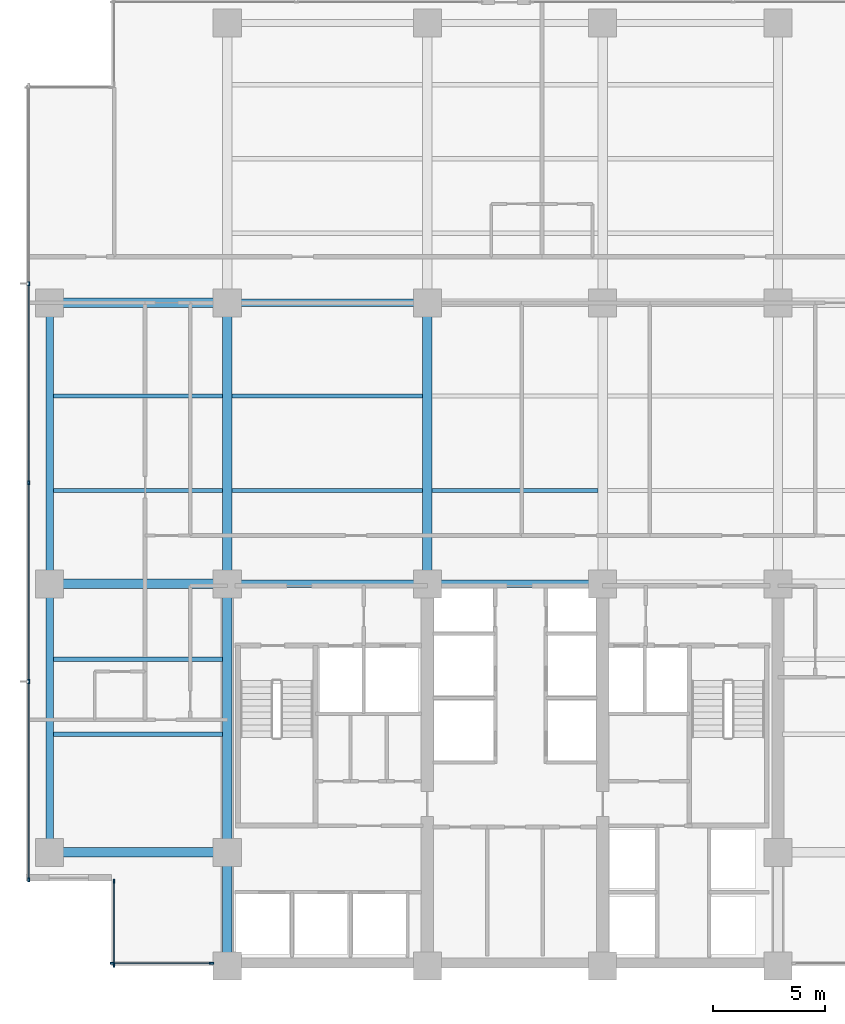
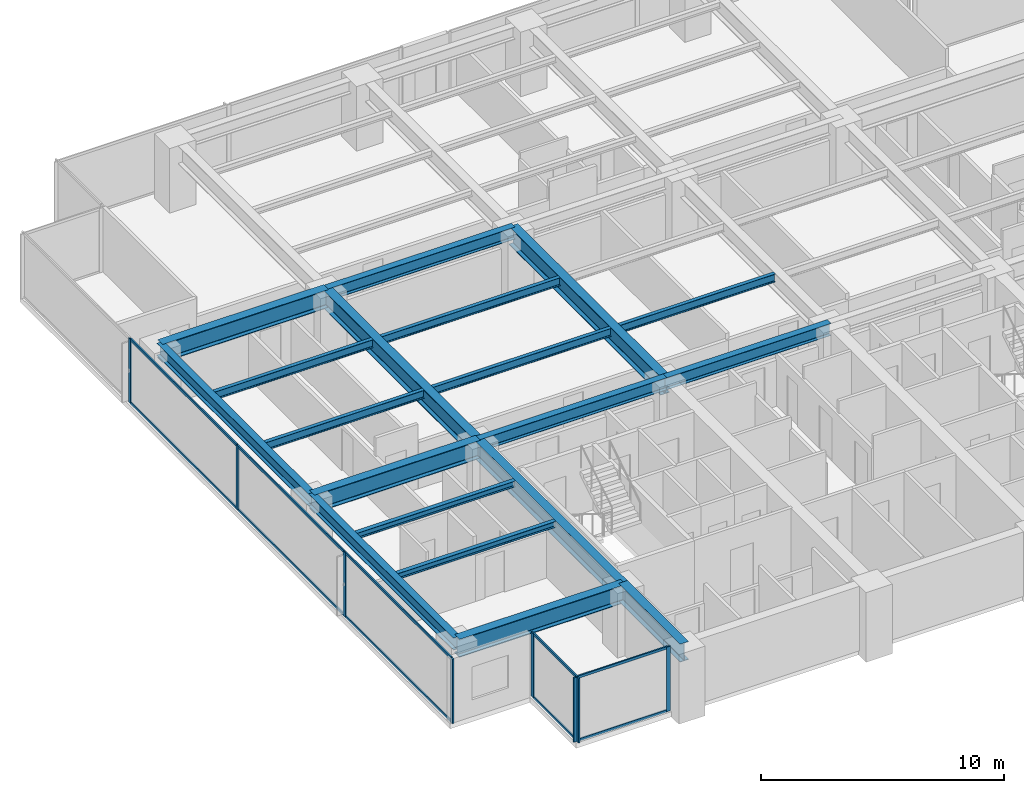
# One storey, part 2 of 16: 19 beams, 18 members, 3 elements without a shape of their own.
"""IFC4 building model written with IfcOpenShell, lengths in metres."""

from ifc_helpers import new_model, si_unit, direction, frame, origin, origin_2d, place, context, subcontext, project, spatial, rectangle, i_section, extrude, material, layer, layer_set, material_profile, profile_set, type_object, element, aggregate, save


model = new_model("IFC4")

# Units and contexts
model_context = context("Model", 3, precision=1e-05, world=origin(), true_north=direction((0.0, 1.0)))
body_context = subcontext(model_context, "Body", "Model", "MODEL_VIEW")
ifc_project = project(units=[si_unit("LENGTHUNIT", "METRE"), si_unit("AREAUNIT", "SQUARE_METRE"), si_unit("VOLUMEUNIT", "CUBIC_METRE"), si_unit("PLANEANGLEUNIT", "RADIAN"), si_unit("MASSUNIT", "GRAM", prefix="KILO")], contexts=[model_context])

# Site, building, storey
site_placement = place(None, origin())
site = spatial("IfcSite", under=ifc_project, at=site_placement, CompositionType="ELEMENT")
building_placement = place(site_placement, origin())
building = spatial("IfcBuilding", under=site, at=building_placement, Name="Qalmaran Belvedere Hotel", CompositionType="ELEMENT")
storey_placement = place(building_placement, frame((0.0, 0.0, 123.199951171875)))
storey = spatial("IfcBuildingStorey", under=building, at=storey_placement, Name="L31", CompositionType="ELEMENT", Elevation=123.199951171875)

# Beams
ifc_material_1 = material(Name="Steel S355JR", Category="steel")
ifc_material_profile_1 = material_profile(ifc_material_1, i_section(OverallWidth=0.202880859375, OverallDepth=0.302978515625, WebThickness=0.007568359375, FlangeThickness=0.01318359375, FilletRadius=0.012939453125, at=origin_2d()), Name="W310X60")
ifc_profile_set_1 = profile_set([ifc_material_profile_1], Name="Steel S355JR")
beam_type_1 = type_object("IfcBeamType", Name="BM-JST-W310X60", PredefinedType="JOIST", material=ifc_profile_set_1)
for number, where, z_axis, x_axis, name in (
    (1, (12.5615234375, 13.800048828125, 3.088623046875), (1.0, 0.0, 0.0), (0.0, 1.0, 0.0), "L31 West Wing Joist 038"),
    (2, (12.5615234375, 17.14990234375, 3.088623046875), (1.0, 0.0, 0.0), (0.0, 1.0, 0.0), "L31 West Wing Joist 040"),
):
    element("IfcBeam", number, at=place(storey_placement, frame(where, z_axis=z_axis, x_axis=x_axis)), inside=storey, type_object=beam_type_1, Name=name, PredefinedType="JOIST", context=body_context, shape_type="SweptSolid", body=[
        extrude(i_section(OverallWidth=0.202880859375, OverallDepth=0.302978515625, WebThickness=0.007568359375, FlangeThickness=0.01318359375, FilletRadius=0.012939453125, at=origin_2d()), origin(), (0.0, 0.0, 1.0), 7.531494140625),
    ])
ifc_material_profile_2 = material_profile(ifc_material_1, i_section(OverallWidth=0.41796875, OverallDepth=0.912109375, WebThickness=0.019287109375, FlangeThickness=0.031982421875, FilletRadius=0.02392578125, at=origin_2d()), Name="W920X342")
ifc_profile_set_2 = profile_set([ifc_material_profile_2], Name="Steel S355JR")
beam_type_2 = type_object("IfcBeamType", Name="BM-PG2-W920X342", PredefinedType="USERDEFINED", material=ifc_profile_set_2)
for number, where, z_axis, x_axis, name in (
    (3, (20.300048828125, 20.5, 2.783935546875), (0.0, 1.0, 0.0), (-1.0, 0.0, 0.0), "L31 Mid-Plate N-S Girder 14"),
    (4, (29.199951171875, 20.5, 2.783935546875), (0.0, 1.0, 0.0), (-1.0, 0.0, 0.0), "L31 Mid-Plate N-S Girder 16"),
):
    element("IfcBeam", number, at=place(storey_placement, frame(where, z_axis=z_axis, x_axis=x_axis)), inside=storey, type_object=beam_type_2, Name=name, ObjectType="GIRDER", PredefinedType="USERDEFINED", context=body_context, shape_type="SweptSolid", body=[
        extrude(i_section(OverallWidth=0.41796875, OverallDepth=0.912109375, WebThickness=0.019287109375, FlangeThickness=0.031982421875, FilletRadius=0.02392578125, at=origin_2d()), origin(), (0.0, 0.0, 1.0), 12.5),
    ])
for number, where, z_axis, x_axis, name in (
    (5, (12.39990234375, 8.550048828125, 2.783935546875), (1.0, 0.0, 0.0), (0.0, 1.0, 0.0), "L31 West Wing Girder 22"),
    (6, (12.39990234375, 20.5, 2.783935546875), (1.0, 0.0, 0.0), (0.0, 1.0, 0.0), "L31 West Wing Girder 23"),
    (7, (12.39990234375, 33.0, 2.783935546875), (1.0, 0.0, 0.0), (0.0, 1.0, 0.0), "L31 West Wing Girder 24"),
):
    element("IfcBeam", number, at=place(storey_placement, frame(where, z_axis=z_axis, x_axis=x_axis)), inside=storey, type_object=beam_type_2, Name=name, ObjectType="GIRDER", PredefinedType="USERDEFINED", context=body_context, shape_type="SweptSolid", body=[
        extrude(i_section(OverallWidth=0.41796875, OverallDepth=0.912109375, WebThickness=0.019287109375, FlangeThickness=0.031982421875, FilletRadius=0.02392578125, at=origin_2d()), origin(), (0.0, 0.0, 1.0), 7.900146484375),
    ])
beam_1_placement = place(storey_placement, frame((20.300048828125, 3.5, 2.783935546875), z_axis=(0.0, 1.0, 0.0), x_axis=(-1.0, 0.0, 0.0)))
element("IfcBeam", 8, at=beam_1_placement, inside=storey, type_object=beam_type_2, Name="L31 West Core Edge Girder A", ObjectType="GIRDER", PredefinedType="USERDEFINED", context=body_context, shape_type="SweptSolid", body=[
    extrude(i_section(OverallWidth=0.41796875, OverallDepth=0.912109375, WebThickness=0.019287109375, FlangeThickness=0.031982421875, FilletRadius=0.02392578125, at=origin_2d()), origin(), (0.0, 0.0, 1.0), 5.050048828125),
])
beam_2_placement = place(storey_placement, frame((20.300048828125, 8.550048828125, 2.783935546875), z_axis=(0.0, 1.0, 0.0), x_axis=(-1.0, 0.0, 0.0)))
element("IfcBeam", 9, at=beam_2_placement, inside=storey, type_object=beam_type_2, Name="L31 West Core Edge Girder B", ObjectType="GIRDER", PredefinedType="USERDEFINED", context=body_context, shape_type="SweptSolid", body=[
    extrude(i_section(OverallWidth=0.41796875, OverallDepth=0.912109375, WebThickness=0.019287109375, FlangeThickness=0.031982421875, FilletRadius=0.02392578125, at=origin_2d()), origin(), (0.0, 0.0, 1.0), 11.949951171875),
])
ifc_material_profile_3 = material_profile(ifc_material_1, i_section(OverallWidth=0.177978515625, OverallDepth=0.406982421875, WebThickness=0.0078125, FlangeThickness=0.0126953125, FilletRadius=0.014892578125, at=origin_2d()), Name="W410X60")
ifc_profile_set_3 = profile_set([ifc_material_profile_3], Name="Steel S355JR")
beam_type_3 = type_object("IfcBeamType", Name="BM-SB2-W410X60", PredefinedType="BEAM", material=ifc_profile_set_3)
beam_3_placement = place(storey_placement, frame((12.5615234375, 24.64990234375, 3.03662109375), z_axis=(1.0, 0.0, 0.0), x_axis=(0.0, 1.0, 0.0)))
element("IfcBeam", 10, at=beam_3_placement, inside=storey, type_object=beam_type_3, Name="L31 West Secondary Beam 028", PredefinedType="BEAM", context=body_context, shape_type="SweptSolid", body=[
    extrude(i_section(OverallWidth=0.177978515625, OverallDepth=0.406982421875, WebThickness=0.0078125, FlangeThickness=0.0126953125, FilletRadius=0.014892578125, at=origin_2d()), origin(), (0.0, 0.0, 1.0), 7.531494140625),
])
beam_4_placement = place(storey_placement, frame((20.507080078125, 24.64990234375, 3.03662109375), z_axis=(1.0, 0.0, 0.0), x_axis=(0.0, 1.0, 0.0)))
element("IfcBeam", 11, at=beam_4_placement, inside=storey, type_object=beam_type_3, Name="L31 Secondary Floor Beam 029", PredefinedType="BEAM", context=body_context, shape_type="SweptSolid", body=[
    extrude(i_section(OverallWidth=0.177978515625, OverallDepth=0.406982421875, WebThickness=0.0078125, FlangeThickness=0.0126953125, FilletRadius=0.014892578125, at=origin_2d()), origin(), (0.0, 0.0, 1.0), 8.48583984375),
])
beam_5_placement = place(storey_placement, frame((29.406982421875, 24.64990234375, 3.03662109375), z_axis=(1.0, 0.0, 0.0), x_axis=(0.0, 1.0, 0.0)))
element("IfcBeam", 12, at=beam_5_placement, inside=storey, type_object=beam_type_3, Name="L31 Secondary Floor Beam 030", PredefinedType="BEAM", context=body_context, shape_type="SweptSolid", body=[
    extrude(i_section(OverallWidth=0.177978515625, OverallDepth=0.406982421875, WebThickness=0.0078125, FlangeThickness=0.0126953125, FilletRadius=0.014892578125, at=origin_2d()), origin(), (0.0, 0.0, 1.0), 7.385986328125),
])
beam_6_placement = place(storey_placement, frame((12.5615234375, 28.85009765625, 3.03662109375), z_axis=(1.0, 0.0, 0.0), x_axis=(0.0, 1.0, 0.0)))
element("IfcBeam", 13, at=beam_6_placement, inside=storey, type_object=beam_type_3, Name="L31 West Secondary Beam 033", PredefinedType="BEAM", context=body_context, shape_type="SweptSolid", body=[
    extrude(i_section(OverallWidth=0.177978515625, OverallDepth=0.406982421875, WebThickness=0.0078125, FlangeThickness=0.0126953125, FilletRadius=0.014892578125, at=origin_2d()), origin(), (0.0, 0.0, 1.0), 7.531494140625),
])
beam_7_placement = place(storey_placement, frame((20.507080078125, 28.85009765625, 3.03662109375), z_axis=(1.0, 0.0, 0.0), x_axis=(0.0, 1.0, 0.0)))
element("IfcBeam", 14, at=beam_7_placement, inside=storey, type_object=beam_type_3, Name="L31 Secondary Floor Beam 034", PredefinedType="BEAM", context=body_context, shape_type="SweptSolid", body=[
    extrude(i_section(OverallWidth=0.177978515625, OverallDepth=0.406982421875, WebThickness=0.0078125, FlangeThickness=0.0126953125, FilletRadius=0.014892578125, at=origin_2d()), origin(), (0.0, 0.0, 1.0), 8.48583984375),
])
ifc_material_profile_4 = material_profile(ifc_material_1, i_section(OverallWidth=0.326904296875, OverallDepth=0.6220703125, WebThickness=0.015380859375, FlangeThickness=0.0244140625, FilletRadius=0.02001953125, at=origin_2d()), Name="W610X195")
ifc_profile_set_4 = profile_set([ifc_material_profile_4], Name="Steel S355JR")
beam_type_4 = type_object("IfcBeamType", Name="BM-SP1-W610X195", PredefinedType="SPANDREL", material=ifc_profile_set_4)
beam_8_placement = place(storey_placement, frame((12.39990234375, 8.550048828125, 2.928955078125), z_axis=(0.0, 1.0, 0.0), x_axis=(-1.0, 0.0, 0.0)))
element("IfcBeam", 15, at=beam_8_placement, inside=storey, type_object=beam_type_4, Name="L31 Perimeter Spandrel 01", PredefinedType="SPANDREL", context=body_context, shape_type="SweptSolid", body=[
    extrude(i_section(OverallWidth=0.326904296875, OverallDepth=0.6220703125, WebThickness=0.015380859375, FlangeThickness=0.0244140625, FilletRadius=0.02001953125, at=origin_2d()), origin(), (0.0, 0.0, 1.0), 11.949951171875),
])
beam_9_placement = place(storey_placement, frame((12.39990234375, 20.5, 2.928955078125), z_axis=(0.0, 1.0, 0.0), x_axis=(-1.0, 0.0, 0.0)))
element("IfcBeam", 16, at=beam_9_placement, inside=storey, type_object=beam_type_4, Name="L31 Perimeter Spandrel 02", PredefinedType="SPANDREL", context=body_context, shape_type="SweptSolid", body=[
    extrude(i_section(OverallWidth=0.326904296875, OverallDepth=0.6220703125, WebThickness=0.015380859375, FlangeThickness=0.0244140625, FilletRadius=0.02001953125, at=origin_2d()), origin(), (0.0, 0.0, 1.0), 12.5),
])
ifc_material_profile_5 = material_profile(ifc_material_1, i_section(OverallWidth=0.323974609375, OverallDepth=0.611083984375, WebThickness=0.0126953125, FlangeThickness=0.01904296875, FilletRadius=0.02001953125, at=origin_2d()), Name="W610X155")
ifc_profile_set_5 = profile_set([ifc_material_profile_5], Name="Steel S355JR")
beam_type_5 = type_object("IfcBeamType", Name="BM-Z2-W610X155", PredefinedType="USERDEFINED", material=ifc_profile_set_5)
beam_10_placement = place(storey_placement, frame((20.300048828125, 20.5, 2.9345703125), z_axis=(1.0, 0.0, 0.0), x_axis=(0.0, 1.0, 0.0)))
element("IfcBeam", 17, at=beam_10_placement, inside=storey, type_object=beam_type_5, Name="L31 Interior E-W Girder 08", ObjectType="GIRDER", PredefinedType="USERDEFINED", context=body_context, shape_type="SweptSolid", body=[
    extrude(i_section(OverallWidth=0.323974609375, OverallDepth=0.611083984375, WebThickness=0.0126953125, FlangeThickness=0.01904296875, FilletRadius=0.02001953125, at=origin_2d()), origin(), (0.0, 0.0, 1.0), 8.89990234375),
])
beam_11_placement = place(storey_placement, frame((29.199951171875, 20.5, 2.9345703125), z_axis=(1.0, 0.0, 0.0), x_axis=(0.0, 1.0, 0.0)))
element("IfcBeam", 18, at=beam_11_placement, inside=storey, type_object=beam_type_5, Name="L31 Interior E-W Girder 09", ObjectType="GIRDER", PredefinedType="USERDEFINED", context=body_context, shape_type="SweptSolid", body=[
    extrude(i_section(OverallWidth=0.323974609375, OverallDepth=0.611083984375, WebThickness=0.0126953125, FlangeThickness=0.01904296875, FilletRadius=0.02001953125, at=origin_2d()), origin(), (0.0, 0.0, 1.0), 7.800048828125),
])
beam_12_placement = place(storey_placement, frame((20.300048828125, 33.0, 2.9345703125), z_axis=(1.0, 0.0, 0.0), x_axis=(0.0, 1.0, 0.0)))
element("IfcBeam", 19, at=beam_12_placement, inside=storey, type_object=beam_type_5, Name="L31 Interior E-W Girder 11", ObjectType="GIRDER", PredefinedType="USERDEFINED", context=body_context, shape_type="SweptSolid", body=[
    extrude(i_section(OverallWidth=0.323974609375, OverallDepth=0.611083984375, WebThickness=0.0126953125, FlangeThickness=0.01904296875, FilletRadius=0.02001953125, at=origin_2d()), origin(), (0.0, 0.0, 1.0), 8.89990234375),
])

# Curtain wall, members
ifc_material_2 = material(Name="Anodised Bronze Aluminium", Category="aluminium")
ifc_layer = layer(ifc_material_2, 0.199951171875, Name="Anodised Bronze Aluminium")
ifc_layer_set = layer_set([ifc_layer], Name="Anodised Bronze Aluminium")
curtain_wall_type = type_object("IfcCurtainWallType", Name="CW3-TOWER-LOWMID", PredefinedType="NOTDEFINED", material=ifc_layer_set)
curtain_wall_1_placement = place(storey_placement, origin())
curtain_wall_1 = element("IfcCurtainWall", 20, at=curtain_wall_1_placement, inside=storey, type_object=curtain_wall_type, Name="L31 Curtain Wall CW3", PredefinedType="NOTDEFINED")
ifc_material_profile_6 = material_profile(ifc_material_2, rectangle(XDim=0.070068359375, YDim=0.18994140625, at=origin_2d()), Name="CWM70X190")
ifc_profile_set_6 = profile_set([ifc_material_profile_6], Name="Anodised Bronze Aluminium")
member_type_1 = type_object("IfcMemberType", Name="CWM-70X190", PredefinedType="MULLION", material=ifc_profile_set_6)
member_1_placement = place(storey_placement, frame((15.18505859375, 3.6201171875, 0.0), z_axis=(0.0, 0.0, 1.0), x_axis=(0.0, 1.0, 0.0)))
member_1 = element("IfcMember", 21, at=member_1_placement, type_object=member_type_1, Name="CW3 mullion 1", PredefinedType="MULLION", context=body_context, shape_type="SweptSolid", body=[
    extrude(rectangle(XDim=0.070068359375, YDim=0.18994140625, at=origin_2d()), origin(), (0.0, 0.0, 1.0), 3.239990234375),
])
member_2_placement = place(storey_placement, frame((19.60009765625, 3.6201171875, 0.0), z_axis=(0.0, 0.0, 1.0), x_axis=(0.0, 1.0, 0.0)))
member_2 = element("IfcMember", 22, at=member_2_placement, type_object=member_type_1, Name="CW3 mullion 2", PredefinedType="MULLION", context=body_context, shape_type="SweptSolid", body=[
    extrude(rectangle(XDim=0.070068359375, YDim=0.18994140625, at=origin_2d()), origin(), (0.0, 0.0, 1.0), 3.239990234375),
])

curtain_wall_2_placement = place(storey_placement, origin())
curtain_wall_2 = element("IfcCurtainWall", 23, at=curtain_wall_2_placement, inside=storey, type_object=curtain_wall_type, Name="L31 Curtain Wall CW3", PredefinedType="NOTDEFINED")
member_3_placement = place(storey_placement, frame((11.469970703125, 33.85009765625, 0.0), z_axis=(0.0, 0.0, 1.0), x_axis=(1.0, 0.0, 0.0)))
member_3 = element("IfcMember", 24, at=member_3_placement, type_object=member_type_1, Name="CW3 mullion 2", PredefinedType="MULLION", context=body_context, shape_type="SweptSolid", body=[
    extrude(rectangle(XDim=0.070068359375, YDim=0.18994140625, at=origin_2d()), origin(), (0.0, 0.0, 1.0), 3.239990234375),
])
member_4_placement = place(storey_placement, frame((11.469970703125, 25.0, 0.0), z_axis=(0.0, 0.0, 1.0), x_axis=(1.0, 0.0, 0.0)))
member_4 = element("IfcMember", 25, at=member_4_placement, type_object=member_type_1, Name="CW3 mullion 3", PredefinedType="MULLION", context=body_context, shape_type="SweptSolid", body=[
    extrude(rectangle(XDim=0.070068359375, YDim=0.18994140625, at=origin_2d()), origin(), (0.0, 0.0, 1.0), 3.239990234375),
])
member_5_placement = place(storey_placement, frame((11.469970703125, 16.14990234375, 0.0), z_axis=(0.0, 0.0, 1.0), x_axis=(1.0, 0.0, 0.0)))
member_5 = element("IfcMember", 26, at=member_5_placement, type_object=member_type_1, Name="CW3 mullion 4", PredefinedType="MULLION", context=body_context, shape_type="SweptSolid", body=[
    extrude(rectangle(XDim=0.070068359375, YDim=0.18994140625, at=origin_2d()), origin(), (0.0, 0.0, 1.0), 3.239990234375),
])
member_6_placement = place(storey_placement, frame((11.469970703125, 7.3349609375, 0.0), z_axis=(0.0, 0.0, 1.0), x_axis=(1.0, 0.0, 0.0)))
member_6 = element("IfcMember", 27, at=member_6_placement, type_object=member_type_1, Name="CW3 mullion 5", PredefinedType="MULLION", context=body_context, shape_type="SweptSolid", body=[
    extrude(rectangle(XDim=0.070068359375, YDim=0.18994140625, at=origin_2d()), origin(), (0.0, 0.0, 1.0), 3.239990234375),
])

curtain_wall_3_placement = place(storey_placement, origin())
curtain_wall_3 = element("IfcCurtainWall", 28, at=curtain_wall_3_placement, inside=storey, type_object=curtain_wall_type, Name="L31 Curtain Wall CW3", PredefinedType="NOTDEFINED")
member_7_placement = place(storey_placement, frame((15.27001953125, 7.264892578125, 0.0), z_axis=(0.0, 0.0, 1.0), x_axis=(1.0, 0.0, 0.0)))
member_7 = element("IfcMember", 29, at=member_7_placement, type_object=member_type_1, Name="CW3 mullion 1", PredefinedType="MULLION", context=body_context, shape_type="SweptSolid", body=[
    extrude(rectangle(XDim=0.070068359375, YDim=0.18994140625, at=origin_2d()), origin(), (0.0, 0.0, 1.0), 3.239990234375),
])
member_8_placement = place(storey_placement, frame((15.27001953125, 3.534912109375, 0.0), z_axis=(0.0, 0.0, 1.0), x_axis=(1.0, 0.0, 0.0)))
member_8 = element("IfcMember", 30, at=member_8_placement, type_object=member_type_1, Name="CW3 mullion 2", PredefinedType="MULLION", context=body_context, shape_type="SweptSolid", body=[
    extrude(rectangle(XDim=0.070068359375, YDim=0.18994140625, at=origin_2d()), origin(), (0.0, 0.0, 1.0), 3.239990234375),
])

# Member
ifc_material_profile_7 = material_profile(ifc_material_2, rectangle(XDim=0.06494140625, YDim=0.1298828125, at=origin_2d()), Name="CWT65X130")
ifc_profile_set_7 = profile_set([ifc_material_profile_7], Name="Anodised Bronze Aluminium")
member_type_2 = type_object("IfcMemberType", Name="CWT-65X130", PredefinedType="USERDEFINED", material=ifc_profile_set_7)
member_9_placement = place(storey_placement, frame((15.219970703125, 3.6201171875, 0.032470703125), z_axis=(1.0, 0.0, 0.0), x_axis=(0.0, 1.0, 0.0)))
member_9 = element("IfcMember", 31, at=member_9_placement, type_object=member_type_2, Name="CW3 transom 1.1", ObjectType="TRANSOM", PredefinedType="USERDEFINED", context=body_context, shape_type="SweptSolid", body=[
    extrude(rectangle(XDim=0.06494140625, YDim=0.1298828125, at=origin_2d()), origin(), (0.0, 0.0, 1.0), 4.344970703125),
])

member_10_placement = place(storey_placement, frame((15.219970703125, 3.6201171875, 3.20751953125), z_axis=(1.0, 0.0, 0.0), x_axis=(0.0, 1.0, 0.0)))
member_10 = element("IfcMember", 32, at=member_10_placement, type_object=member_type_2, Name="CW3 transom 1.2", ObjectType="TRANSOM", PredefinedType="USERDEFINED", context=body_context, shape_type="SweptSolid", body=[
    extrude(rectangle(XDim=0.06494140625, YDim=0.1298828125, at=origin_2d()), origin(), (0.0, 0.0, 1.0), 4.344970703125),
])

aggregate(curtain_wall_1, [member_1, member_2, member_9, member_10])

member_11_placement = place(storey_placement, frame((11.469970703125, 33.81494140625, 0.032470703125), z_axis=(0.0, -1.0, 0.0), x_axis=(1.0, 0.0, 0.0)))
member_11 = element("IfcMember", 33, at=member_11_placement, type_object=member_type_2, Name="CW3 transom 2.1", ObjectType="TRANSOM", PredefinedType="USERDEFINED", context=body_context, shape_type="SweptSolid", body=[
    extrude(rectangle(XDim=0.06494140625, YDim=0.1298828125, at=origin_2d()), origin(), (0.0, 0.0, 1.0), 8.780029296875),
])

member_12_placement = place(storey_placement, frame((11.469970703125, 33.81494140625, 3.20751953125), z_axis=(0.0, -1.0, 0.0), x_axis=(1.0, 0.0, 0.0)))
member_12 = element("IfcMember", 34, at=member_12_placement, type_object=member_type_2, Name="CW3 transom 2.2", ObjectType="TRANSOM", PredefinedType="USERDEFINED", context=body_context, shape_type="SweptSolid", body=[
    extrude(rectangle(XDim=0.06494140625, YDim=0.1298828125, at=origin_2d()), origin(), (0.0, 0.0, 1.0), 8.780029296875),
])

member_13_placement = place(storey_placement, frame((11.469970703125, 24.965087890625, 0.032470703125), z_axis=(0.0, -1.0, 0.0), x_axis=(1.0, 0.0, 0.0)))
member_13 = element("IfcMember", 35, at=member_13_placement, type_object=member_type_2, Name="CW3 transom 3.1", ObjectType="TRANSOM", PredefinedType="USERDEFINED", context=body_context, shape_type="SweptSolid", body=[
    extrude(rectangle(XDim=0.06494140625, YDim=0.1298828125, at=origin_2d()), origin(), (0.0, 0.0, 1.0), 8.780029296875),
])

member_14_placement = place(storey_placement, frame((11.469970703125, 24.965087890625, 3.20751953125), z_axis=(0.0, -1.0, 0.0), x_axis=(1.0, 0.0, 0.0)))
member_14 = element("IfcMember", 36, at=member_14_placement, type_object=member_type_2, Name="CW3 transom 3.2", ObjectType="TRANSOM", PredefinedType="USERDEFINED", context=body_context, shape_type="SweptSolid", body=[
    extrude(rectangle(XDim=0.06494140625, YDim=0.1298828125, at=origin_2d()), origin(), (0.0, 0.0, 1.0), 8.780029296875),
])

member_15_placement = place(storey_placement, frame((11.469970703125, 16.114990234375, 0.032470703125), z_axis=(0.0, -1.0, 0.0), x_axis=(1.0, 0.0, 0.0)))
member_15 = element("IfcMember", 37, at=member_15_placement, type_object=member_type_2, Name="CW3 transom 4.1", ObjectType="TRANSOM", PredefinedType="USERDEFINED", context=body_context, shape_type="SweptSolid", body=[
    extrude(rectangle(XDim=0.06494140625, YDim=0.1298828125, at=origin_2d()), origin(), (0.0, 0.0, 1.0), 8.744873046875),
])

member_16_placement = place(storey_placement, frame((11.469970703125, 16.114990234375, 3.20751953125), z_axis=(0.0, -1.0, 0.0), x_axis=(1.0, 0.0, 0.0)))
member_16 = element("IfcMember", 38, at=member_16_placement, type_object=member_type_2, Name="CW3 transom 4.2", ObjectType="TRANSOM", PredefinedType="USERDEFINED", context=body_context, shape_type="SweptSolid", body=[
    extrude(rectangle(XDim=0.06494140625, YDim=0.1298828125, at=origin_2d()), origin(), (0.0, 0.0, 1.0), 8.744873046875),
])

aggregate(curtain_wall_2, [member_3, member_4, member_5, member_6, member_11, member_12, member_13, member_14, member_15, member_16])

member_17_placement = place(storey_placement, frame((15.27001953125, 7.22998046875, 0.032470703125), z_axis=(0.0, -1.0, 0.0), x_axis=(1.0, 0.0, 0.0)))
member_17 = element("IfcMember", 39, at=member_17_placement, type_object=member_type_2, Name="CW3 transom 1.1", ObjectType="TRANSOM", PredefinedType="USERDEFINED", context=body_context, shape_type="SweptSolid", body=[
    extrude(rectangle(XDim=0.06494140625, YDim=0.1298828125, at=origin_2d()), origin(), (0.0, 0.0, 1.0), 3.659912109375),
])

member_18_placement = place(storey_placement, frame((15.27001953125, 7.22998046875, 3.20751953125), z_axis=(0.0, -1.0, 0.0), x_axis=(1.0, 0.0, 0.0)))
member_18 = element("IfcMember", 40, at=member_18_placement, type_object=member_type_2, Name="CW3 transom 1.2", ObjectType="TRANSOM", PredefinedType="USERDEFINED", context=body_context, shape_type="SweptSolid", body=[
    extrude(rectangle(XDim=0.06494140625, YDim=0.1298828125, at=origin_2d()), origin(), (0.0, 0.0, 1.0), 3.659912109375),
])

aggregate(curtain_wall_3, [member_7, member_8, member_17, member_18])

save(model, "model.ifc")
